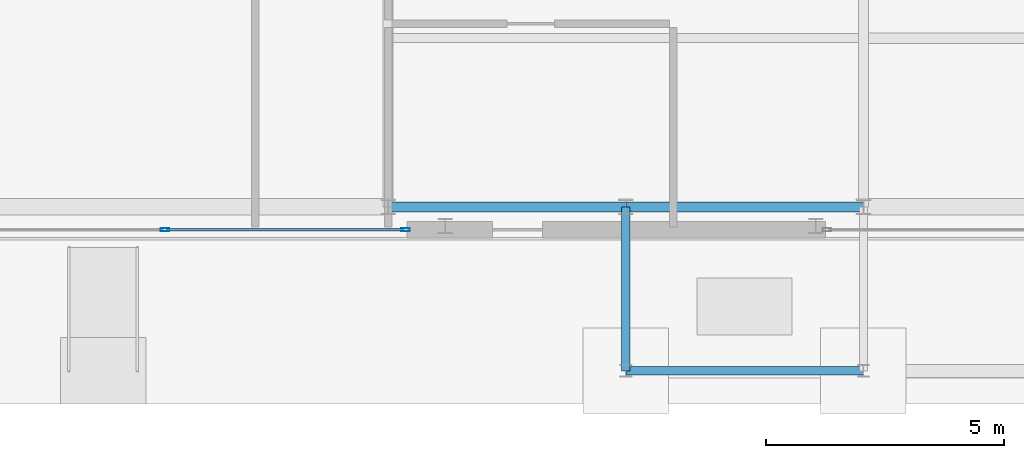
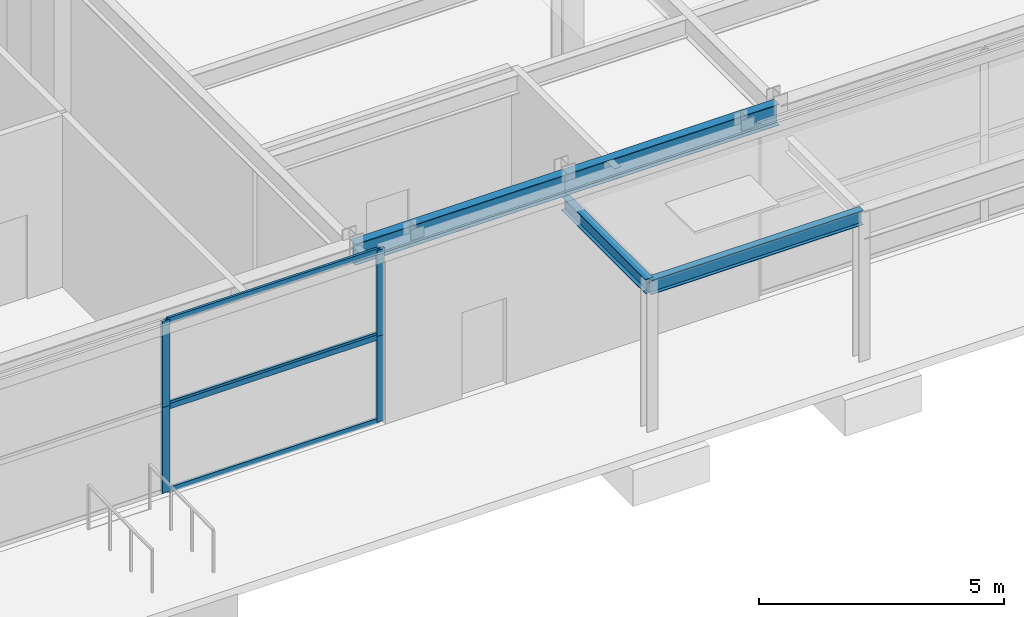
# One storey, part 9 of 29: 8 members, 4 beams, 2 elements without a shape of their own.
"""IFC4 building model written with IfcOpenShell, lengths in metres."""

from ifc_helpers import new_model, si_unit, direction, frame, origin, origin_2d, place, context, subcontext, project, spatial, hollow_rectangle, i_section, extrude, source, transform, mapped, material, layer, layer_set, material_profile, profile_set, type_object, element, aggregate, save


model = new_model("IFC4")

# Units and contexts
model_context = context("Model", 3, precision=1e-05, world=origin(), true_north=direction((0.0, 1.0)))
body_context = subcontext(model_context, "Body", "Model", "MODEL_VIEW")
ifc_project = project(units=[si_unit("LENGTHUNIT", "METRE"), si_unit("AREAUNIT", "SQUARE_METRE"), si_unit("VOLUMEUNIT", "CUBIC_METRE"), si_unit("PLANEANGLEUNIT", "RADIAN"), si_unit("MASSUNIT", "GRAM", prefix="KILO")], contexts=[model_context])

# Site, building, storey
site_placement = place(None, origin())
site = spatial("IfcSite", under=ifc_project, at=site_placement, CompositionType="ELEMENT")
building_placement = place(site_placement, origin())
building = spatial("IfcBuilding", under=site, at=building_placement, Name="Taldren Reach Tower", CompositionType="ELEMENT")
storey_placement = place(building_placement, origin())
storey = spatial("IfcBuildingStorey", under=building, at=storey_placement, Name="L00", CompositionType="ELEMENT", Elevation=0.0)

# Beams
ifc_material_1 = material(Name="Steel Gr 350 (350PLUS)", Category="steel")
ifc_material_profile_1 = material_profile(ifc_material_1, i_section(OverallWidth=0.208984375, OverallDepth=0.528076171875, WebThickness=0.009521484375, FlangeThickness=0.01318359375, at=origin_2d()), Name="530UB82.0")
ifc_profile_set_1 = profile_set([ifc_material_profile_1], Name="Steel Gr 350 (350PLUS)")
beam_type_1 = type_object("IfcBeamType", Name="SP-UB530B", PredefinedType="SPANDREL", material=ifc_profile_set_1)
shared_shape_1 = source(origin(), body_context, "Body", "SweptSolid", [
    extrude(i_section(OverallWidth=0.208984375, OverallDepth=0.528076171875, WebThickness=0.009521484375, FlangeThickness=0.01318359375, at=origin_2d()), origin(), (0.0, 0.0, 1.0), 5.0),
])
for number, where, z_axis, x_axis, name in (
    (1, (18.0, 0.64990234375, 4.02587890625), (1.0, 0.0, 0.0), (0.0, 1.0, 0.0), "Podium beam L00-PD02"),
    (2, (23.0, 0.64990234375, 4.02587890625), (1.0, 0.0, 0.0), (0.0, 1.0, 0.0), "Podium beam L00-PD03"),
):
    element("IfcBeam", number, at=place(storey_placement, frame(where, z_axis=z_axis, x_axis=x_axis)), inside=storey, type_object=beam_type_1, Name=name, PredefinedType="SPANDREL", context=body_context, shape_type="MappedRepresentation", body=[
        mapped(shared_shape_1, transform((0.0, 0.0, 0.0), scale=1.0)),
    ])
ifc_material_profile_2 = material_profile(ifc_material_1, i_section(OverallWidth=0.172119140625, OverallDepth=0.35888671875, WebThickness=0.008056640625, FlangeThickness=0.012939453125, at=origin_2d()), Name="360UB56.7")
ifc_profile_set_2 = profile_set([ifc_material_profile_2], Name="Steel Gr 350 (350PLUS)")
beam_type_2 = type_object("IfcBeamType", Name="SP-UB360", PredefinedType="SPANDREL", material=ifc_profile_set_2)
shared_shape_2 = source(origin(), body_context, "Body", "SweptSolid", [
    extrude(i_section(OverallWidth=0.172119140625, OverallDepth=0.35888671875, WebThickness=0.008056640625, FlangeThickness=0.012939453125, at=origin_2d()), origin(), (0.0, 0.0, 1.0), 3.449951171875),
])
beam_1_placement = place(storey_placement, frame((23.0, 0.64990234375, 3.54052734375), z_axis=(0.0, -1.0, 0.0), x_axis=(1.0, 0.0, 0.0)))
element("IfcBeam", 3, at=beam_1_placement, inside=storey, type_object=beam_type_2, Name="South canopy beam 23", PredefinedType="SPANDREL", context=body_context, shape_type="MappedRepresentation", body=[
    mapped(shared_shape_2, transform((0.0, 0.0, 0.0), scale=1.0)),
])
shared_shape_3 = source(origin(), body_context, "Body", "SweptSolid", [
    extrude(i_section(OverallWidth=0.172119140625, OverallDepth=0.35888671875, WebThickness=0.008056640625, FlangeThickness=0.012939453125, at=origin_2d()), origin(), (0.0, 0.0, 1.0), 5.0),
])
beam_2_placement = place(storey_placement, frame((23.0, -2.800048828125, 3.54052734375), z_axis=(1.0, 0.0, 0.0), x_axis=(0.0, 1.0, 0.0)))
element("IfcBeam", 4, at=beam_2_placement, inside=storey, type_object=beam_type_2, Name="South canopy edge beam West", PredefinedType="SPANDREL", context=body_context, shape_type="MappedRepresentation", body=[
    mapped(shared_shape_3, transform((0.0, 0.0, 0.0), scale=1.0)),
])

# Curtain wall, members
ifc_material_2 = material(Name="Aluminium and Low-E Glass Unitised System", Category="aluminium")
ifc_layer = layer(ifc_material_2, 0.159912109375)
ifc_layer_set = layer_set([ifc_layer], Name="Aluminium and Low-E Glass Unitised System")
curtain_wall_type = type_object("IfcCurtainWallType", Name="CW-SYS-1", PredefinedType="NOTDEFINED", material=ifc_layer_set)
curtain_wall_1_placement = place(storey_placement, origin())
curtain_wall_1 = element("IfcCurtainWall", 5, at=curtain_wall_1_placement, inside=storey, type_object=curtain_wall_type, Name="Unitised curtain wall CW1-L00-S1", PredefinedType="NOTDEFINED")
ifc_material_3 = material(Name="Anodised Aluminium 6063-T6", Category="aluminium")
ifc_material_profile_3 = material_profile(ifc_material_3, hollow_rectangle(XDim=0.070068359375, YDim=0.179931640625, WallThickness=0.00390625, at=origin_2d()), Name="ALU-180x70x4RHS")
ifc_profile_set_3 = profile_set([ifc_material_profile_3], Name="Anodised Aluminium 6063-T6")
member_type_1 = type_object("IfcMemberType", Name="CW-MUL-180", PredefinedType="MULLION", material=ifc_profile_set_3)
shared_shape_4 = source(origin(), body_context, "Body", "SweptSolid", [
    extrude(hollow_rectangle(XDim=0.070068359375, YDim=0.179931640625, WallThickness=0.00390625, at=origin_2d()), origin(), (0.0, 0.0, 1.0), 2.14501953125),
])
member_1_placement = place(storey_placement, frame((13.300048828125, 0.169921875, 0.0), z_axis=(0.0, 0.0, 1.0), x_axis=(0.0, 1.0, 0.0)))
member_1 = element("IfcMember", 6, at=member_1_placement, type_object=member_type_1, Name="CW-1 mullion 2", PredefinedType="MULLION", context=body_context, shape_type="MappedRepresentation", body=[
    mapped(shared_shape_4, transform((0.0, 0.0, 0.0), scale=1.0)),
])
member_2_placement = place(storey_placement, frame((18.364990234375, 0.169921875, 0.0), z_axis=(0.0, 0.0, 1.0), x_axis=(0.0, 1.0, 0.0)))
member_2 = element("IfcMember", 7, at=member_2_placement, type_object=member_type_1, Name="CW-1 mullion 3", PredefinedType="MULLION", context=body_context, shape_type="MappedRepresentation", body=[
    mapped(shared_shape_4, transform((0.0, 0.0, 0.0), scale=1.0)),
])

curtain_wall_2_placement = place(storey_placement, origin())
curtain_wall_2 = element("IfcCurtainWall", 8, at=curtain_wall_2_placement, inside=storey, type_object=curtain_wall_type, Name="Unitised curtain wall CW1-L00-S1-T2", PredefinedType="NOTDEFINED")
member_3_placement = place(storey_placement, frame((13.300048828125, 0.169921875, 2.14501953125), z_axis=(0.0, 0.0, 1.0), x_axis=(0.0, 1.0, 0.0)))
member_3 = element("IfcMember", 9, at=member_3_placement, type_object=member_type_1, Name="CW-1 mullion 2", PredefinedType="MULLION", context=body_context, shape_type="MappedRepresentation", body=[
    mapped(shared_shape_4, transform((0.0, 0.0, 0.0), scale=1.0)),
])
member_4_placement = place(storey_placement, frame((18.364990234375, 0.169921875, 2.14501953125), z_axis=(0.0, 0.0, 1.0), x_axis=(0.0, 1.0, 0.0)))
member_4 = element("IfcMember", 10, at=member_4_placement, type_object=member_type_1, Name="CW-1 mullion 3", PredefinedType="MULLION", context=body_context, shape_type="MappedRepresentation", body=[
    mapped(shared_shape_4, transform((0.0, 0.0, 0.0), scale=1.0)),
])

# Member
ifc_material_profile_4 = material_profile(ifc_material_3, hollow_rectangle(XDim=0.06005859375, YDim=0.135009765625, WallThickness=0.00341796875, at=origin_2d()), Name="ALU-135x60x3.5RHS")
ifc_profile_set_4 = profile_set([ifc_material_profile_4], Name="Anodised Aluminium 6063-T6")
member_type_2 = type_object("IfcMemberType", Name="CW-TRN-150", PredefinedType="USERDEFINED", material=ifc_profile_set_4)
shared_shape_5 = source(origin(), body_context, "Body", "SweptSolid", [
    extrude(hollow_rectangle(XDim=0.06005859375, YDim=0.135009765625, WallThickness=0.00341796875, at=origin_2d()), origin(), (0.0, 0.0, 1.0), 4.9951171875),
])
member_5_placement = place(storey_placement, frame((13.3349609375, 0.169921875, 0.030029296875), z_axis=(1.0, 0.0, 0.0), x_axis=(0.0, 1.0, 0.0)))
member_5 = element("IfcMember", 11, at=member_5_placement, type_object=member_type_2, Name="CW-1 transom 2.1", ObjectType="TRANSOM", PredefinedType="USERDEFINED", context=body_context, shape_type="MappedRepresentation", body=[
    mapped(shared_shape_5, transform((0.0, 0.0, 0.0), scale=1.0)),
])

member_6_placement = place(storey_placement, frame((13.3349609375, 0.169921875, 2.114990234375), z_axis=(1.0, 0.0, 0.0), x_axis=(0.0, 1.0, 0.0)))
member_6 = element("IfcMember", 12, at=member_6_placement, type_object=member_type_2, Name="CW-1 transom 2.2", ObjectType="TRANSOM", PredefinedType="USERDEFINED", context=body_context, shape_type="MappedRepresentation", body=[
    mapped(shared_shape_5, transform((0.0, 0.0, 0.0), scale=1.0)),
])

aggregate(curtain_wall_1, [member_1, member_2, member_5, member_6])

member_7_placement = place(storey_placement, frame((13.3349609375, 0.169921875, 2.175048828125), z_axis=(1.0, 0.0, 0.0), x_axis=(0.0, 1.0, 0.0)))
member_7 = element("IfcMember", 13, at=member_7_placement, type_object=member_type_2, Name="CW-1 transom 2.1", ObjectType="TRANSOM", PredefinedType="USERDEFINED", context=body_context, shape_type="MappedRepresentation", body=[
    mapped(shared_shape_5, transform((0.0, 0.0, 0.0), scale=1.0)),
])

member_8_placement = place(storey_placement, frame((13.3349609375, 0.169921875, 4.260009765625), z_axis=(1.0, 0.0, 0.0), x_axis=(0.0, 1.0, 0.0)))
member_8 = element("IfcMember", 14, at=member_8_placement, type_object=member_type_2, Name="CW-1 transom 2.2", ObjectType="TRANSOM", PredefinedType="USERDEFINED", context=body_context, shape_type="MappedRepresentation", body=[
    mapped(shared_shape_5, transform((0.0, 0.0, 0.0), scale=1.0)),
])

aggregate(curtain_wall_2, [member_3, member_4, member_7, member_8])

save(model, "model.ifc")
